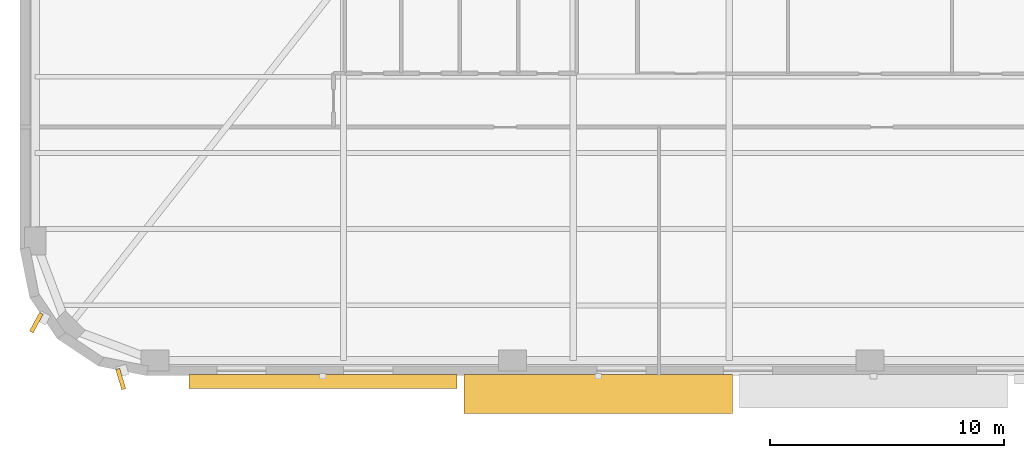
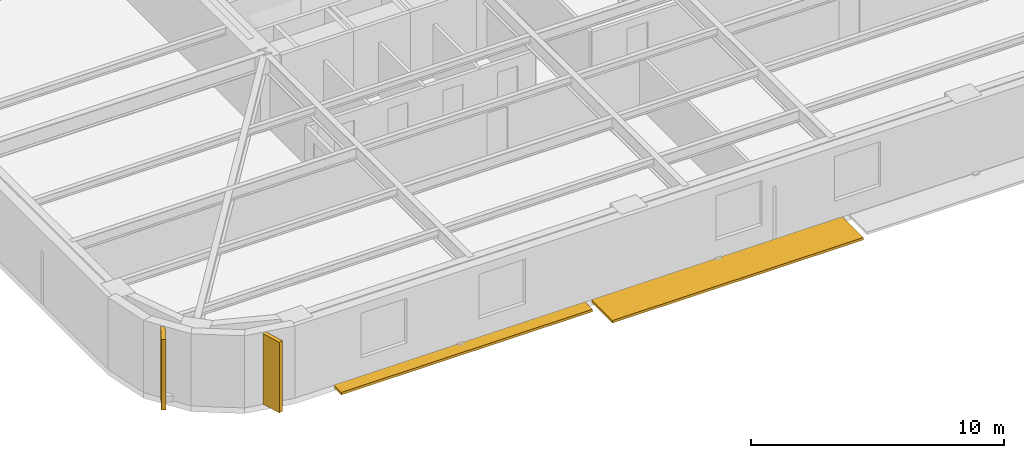
# One storey, part 9 of 15: 4 shading devices.
"""IFC4 building model written with IfcOpenShell, lengths in metres."""

from ifc_helpers import new_model, si_unit, direction, frame, origin, origin_2d, place, context, subcontext, project, spatial, rectangle, extrude, material, type_object, element, save


model = new_model("IFC4")

# Units and contexts
model_context = context("Model", 3, precision=1e-05, world=origin(), true_north=direction((0.0, 1.0)))
body_context = subcontext(model_context, "Body", "Model", "MODEL_VIEW")
ifc_project = project(units=[si_unit("LENGTHUNIT", "METRE"), si_unit("AREAUNIT", "SQUARE_METRE"), si_unit("VOLUMEUNIT", "CUBIC_METRE"), si_unit("PLANEANGLEUNIT", "RADIAN"), si_unit("MASSUNIT", "GRAM", prefix="KILO")], contexts=[model_context])

# Site, building, storey
site_placement = place(None, origin())
site = spatial("IfcSite", under=ifc_project, at=site_placement, CompositionType="ELEMENT")
building_placement = place(site_placement, origin())
building = spatial("IfcBuilding", under=site, at=building_placement, Name="Kolvaren Arena Tower", CompositionType="ELEMENT")
storey_placement = place(building_placement, frame((0.0, 0.0, 60.75)))
storey = spatial("IfcBuildingStorey", under=building, at=storey_placement, Name="L12", CompositionType="ELEMENT", Elevation=60.75)

# Shading devices
ifc_material_1 = material(Name="Precast architectural concrete C50/60 rib fin", Category="concrete")
shading_device_type_1 = type_object("IfcShadingDeviceType", Name="SHAD-FIN-28", PredefinedType="USERDEFINED", material=ifc_material_1)
for number, where, z_axis, x_axis, name in (
    (1, (1.447021484375, 4.757568359375, 0.02001953125), (0.0, 0.0, 1.0), (-0.473348878368, -0.880875041846, 0.0), "Precast 28-Deg Corner Rib Fin (L12)"),
    (2, (5.04638671875, 2.3525390625, 0.02001953125), (0.0, 0.0, 1.0), (0.288174541455, -0.957577899524, 0.0), "Precast 28-Deg Corner Rib Fin (L12)"),
):
    element("IfcShadingDevice", number, at=place(storey_placement, frame(where, z_axis=z_axis, x_axis=x_axis)), inside=storey, type_object=shading_device_type_1, Name=name, ObjectType="FIN", PredefinedType="USERDEFINED", context=body_context, shape_type="SweptSolid", body=[
        extrude(rectangle(XDim=0.89990234375, YDim=0.179931640625, at=origin_2d()), origin(), (0.0, 0.0, 1.0), 3.39990234375),
    ])
ifc_material_2 = material(Name="Architectural precast GFRC and anodised aluminium sunshade", Category="concrete")
shading_device_type_2 = type_object("IfcShadingDeviceType", Name="SHAD-SINE-A", PredefinedType="USERDEFINED", material=ifc_material_2)
shading_device_1_placement = place(storey_placement, frame((13.669921875, 2.25, -0.14013671875), z_axis=(0.0, 0.0, 1.0), x_axis=(-1.0, 0.0, 0.0)))
element("IfcShadingDevice", 3, at=shading_device_1_placement, inside=storey, type_object=shading_device_type_2, Name="Sinusoidal Slab-Edge Sunshade Louvre (L12)", ObjectType="LOUVRE", PredefinedType="USERDEFINED", context=body_context, shape_type="SweptSolid", body=[
    extrude(rectangle(XDim=11.43994140625, YDim=0.599853515625, at=origin_2d()), origin(), (0.0, 0.0, 1.0), 0.1201171875),
])
shading_device_type_3 = type_object("IfcShadingDeviceType", Name="SHAD-SINE-B", PredefinedType="JALOUSIE", material=ifc_material_2)
shading_device_2_placement = place(storey_placement, frame((25.409912109375, 1.7158203125, -0.14013671875), z_axis=(0.0, 0.0, 1.0), x_axis=(-1.0, 0.0, 0.0)))
element("IfcShadingDevice", 4, at=shading_device_2_placement, inside=storey, type_object=shading_device_type_3, Name="Sinusoidal Slab-Edge Sunshade Louvre (L12)", PredefinedType="JALOUSIE", context=body_context, shape_type="SweptSolid", body=[
    extrude(rectangle(XDim=11.43994140625, YDim=1.668212890625, at=origin_2d()), origin(), (0.0, 0.0, 1.0), 0.1201171875),
])

save(model, "model.ifc")
